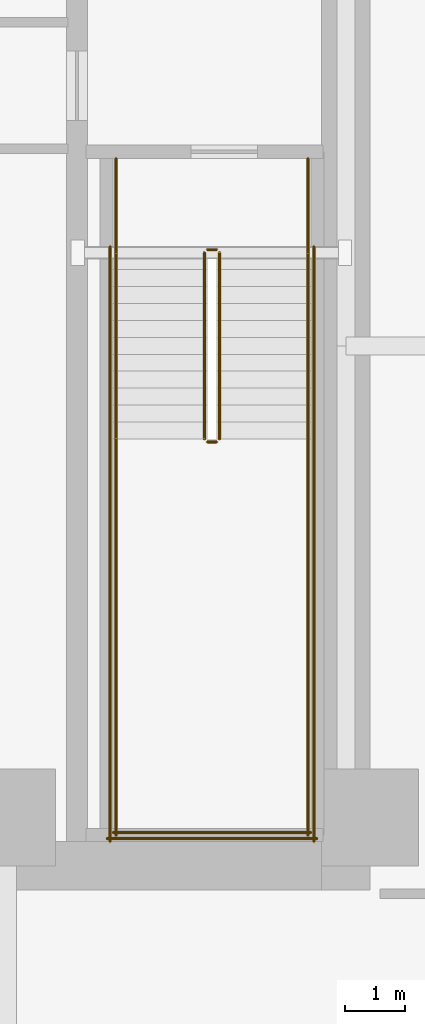
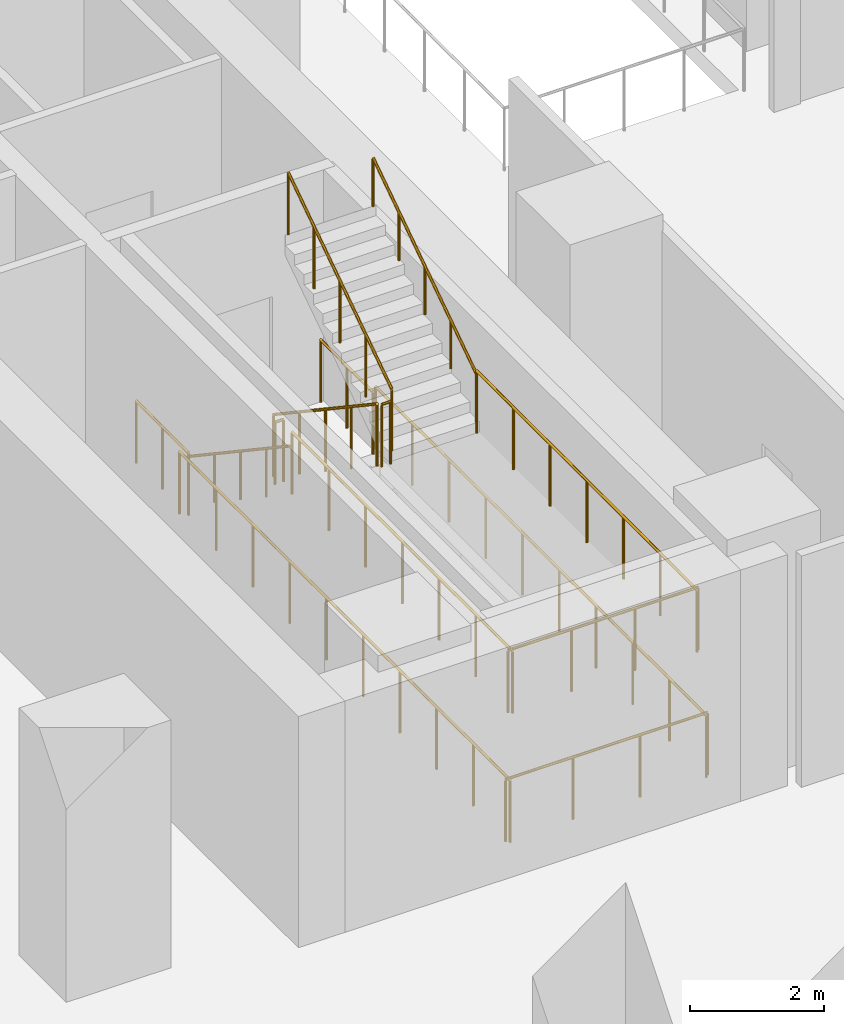
# One storey, part 11 of 14: 14 railings.
"""IFC4 building model written with IfcOpenShell, lengths in metres."""

from ifc_helpers import new_model, si_unit, direction, frame, origin, origin_2d, place, context, subcontext, project, spatial, circle, extrude, material, type_object, element, save


model = new_model("IFC4")

# Units and contexts
model_context = context("Model", 3, precision=1e-05, world=origin(), true_north=direction((0.0, 1.0)))
body_context = subcontext(model_context, "Body", "Model", "MODEL_VIEW")
ifc_project = project(units=[si_unit("LENGTHUNIT", "METRE"), si_unit("AREAUNIT", "SQUARE_METRE"), si_unit("VOLUMEUNIT", "CUBIC_METRE"), si_unit("PLANEANGLEUNIT", "RADIAN"), si_unit("MASSUNIT", "GRAM", prefix="KILO")], contexts=[model_context])

# Site, building, storey
site_placement = place(None, origin())
site = spatial("IfcSite", under=ifc_project, at=site_placement, CompositionType="ELEMENT")
building_placement = place(site_placement, origin())
building = spatial("IfcBuilding", under=site, at=building_placement, Name="Khairoan Windgate Tower", CompositionType="ELEMENT")
storey_placement = place(building_placement, frame((0.0, 0.0, -4.5)))
storey = spatial("IfcBuildingStorey", under=building, at=storey_placement, Name="B1", CompositionType="ELEMENT", Elevation=-4.5)

# Railings
ifc_material_1 = material(Name="Anodised Bronze Aluminium 6063-T6", Category="aluminium")
railing_type_1 = type_object("IfcRailingType", Name="Stair Wall Handrail SHR-900", PredefinedType="HANDRAIL", material=ifc_material_1)
railing_1_placement = place(storey_placement, frame((16.199951171875, -9.260009765625, 0.1875)))
element("IfcRailing", 1, at=railing_1_placement, inside=storey, type_object=railing_type_1, Name="B1 ST1 stair handrail 1", PredefinedType="HANDRAIL", context=body_context, shape_type="SweptSolid", body=[
    extrude(circle(Radius=0.02392578125, at=origin_2d()), frame((0.0, 0.0, 0.8759765625), z_axis=(0.0, -0.830913701846, 0.55640131208), x_axis=(1.0, 0.0, 0.0)), (0.0, 0.0, 1.0), 3.706787109375),
    extrude(circle(Radius=0.02099609375, at=origin_2d()), origin(), (0.0, 0.0, 1.0), 0.851806640625),
    extrude(circle(Radius=0.02099609375, at=origin_2d()), frame((0.0, -0.77001953125, 0.515625)), (0.0, 0.0, 1.0), 0.851806640625),
    extrude(circle(Radius=0.02099609375, at=origin_2d()), frame((0.0, -1.5400390625, 1.03125)), (0.0, 0.0, 1.0), 0.851806640625),
    extrude(circle(Radius=0.02099609375, at=origin_2d()), frame((0.0, -2.31005859375, 1.546875)), (0.0, 0.0, 1.0), 0.851806640625),
    extrude(circle(Radius=0.02099609375, at=origin_2d()), frame((0.0, -3.080078125, 2.0625)), (0.0, 0.0, 1.0), 0.851806640625),
])
railing_2_placement = place(storey_placement, frame((19.3701171875, -12.340087890625, 2.4375)))
element("IfcRailing", 2, at=railing_2_placement, inside=storey, type_object=railing_type_1, Name="B1 ST1 stair handrail 2", PredefinedType="HANDRAIL", context=body_context, shape_type="SweptSolid", body=[
    extrude(circle(Radius=0.02392578125, at=origin_2d()), frame((0.0, 0.0, 0.8759765625), z_axis=(0.0, 0.830913701846, 0.55640131208), x_axis=(-1.0, 0.0, 0.0)), (0.0, 0.0, 1.0), 3.706787109375),
    extrude(circle(Radius=0.02099609375, at=origin_2d()), origin(), (0.0, 0.0, 1.0), 0.851806640625),
    extrude(circle(Radius=0.02099609375, at=origin_2d()), frame((0.0, 0.77001953125, 0.515625)), (0.0, 0.0, 1.0), 0.851806640625),
    extrude(circle(Radius=0.02099609375, at=origin_2d()), frame((0.0, 1.5400390625, 1.03125)), (0.0, 0.0, 1.0), 0.851806640625),
    extrude(circle(Radius=0.02099609375, at=origin_2d()), frame((0.0, 2.31005859375, 1.546875)), (0.0, 0.0, 1.0), 0.851806640625),
    extrude(circle(Radius=0.02099609375, at=origin_2d()), frame((0.0, 3.080078125, 2.0625)), (0.0, 0.0, 1.0), 0.851806640625),
])
ifc_material_2 = material(Name="Steel S355", Category="steel")
railing_type_2 = type_object("IfcRailingType", Name="Stairwell Safety Guardrail SGR-1150", PredefinedType="GUARDRAIL", material=ifc_material_2)
railing_3_placement = place(storey_placement, frame((17.659912109375, -9.260009765625, 0.1875)))
element("IfcRailing", 3, at=railing_3_placement, inside=storey, type_object=railing_type_2, Name="B1 ST1 stair guard 1", PredefinedType="GUARDRAIL", context=body_context, shape_type="SweptSolid", body=[
    extrude(circle(Radius=0.02392578125, at=origin_2d()), frame((0.0, 0.0, 1.1259765625), z_axis=(0.0, -0.830913701846, 0.55640131208), x_axis=(1.0, 0.0, 0.0)), (0.0, 0.0, 1.0), 3.706787109375),
    extrude(circle(Radius=0.02099609375, at=origin_2d()), origin(), (0.0, 0.0, 1.0), 1.101806640625),
    extrude(circle(Radius=0.02099609375, at=origin_2d()), frame((0.0, -0.77001953125, 0.515625)), (0.0, 0.0, 1.0), 1.101806640625),
    extrude(circle(Radius=0.02099609375, at=origin_2d()), frame((0.0, -1.5400390625, 1.03125)), (0.0, 0.0, 1.0), 1.101806640625),
    extrude(circle(Radius=0.02099609375, at=origin_2d()), frame((0.0, -2.31005859375, 1.546875)), (0.0, 0.0, 1.0), 1.101806640625),
    extrude(circle(Radius=0.02099609375, at=origin_2d()), frame((0.0, -3.080078125, 2.0625)), (0.0, 0.0, 1.0), 1.101806640625),
])
railing_4_placement = place(storey_placement, frame((17.7099609375, -12.389892578125, 2.25)))
element("IfcRailing", 4, at=railing_4_placement, inside=storey, type_object=railing_type_2, Name="B1 ST1 stair guard 2", PredefinedType="GUARDRAIL", context=body_context, shape_type="SweptSolid", body=[
    extrude(circle(Radius=0.02392578125, at=origin_2d()), frame((0.0, 0.0, 1.1259765625), z_axis=(1.0, 0.0, 0.0), x_axis=(0.0, 1.0, 0.0)), (0.0, 0.0, 1.0), 0.150146484375),
    extrude(circle(Radius=0.02099609375, at=origin_2d()), origin(), (0.0, 0.0, 1.0), 1.101806640625),
    extrude(circle(Radius=0.02099609375, at=origin_2d()), frame((0.150146484375, 0.0, 0.0)), (0.0, 0.0, 1.0), 1.101806640625),
])
for number, where, name in (
    (5, (16.199951171875, -12.340087890625, 2.25), "B1 ST1 stair guard 3"),
    (6, (19.3701171875, -12.340087890625, 2.25), "B1 ST1 stair guard 4"),
):
    element("IfcRailing", number, at=place(storey_placement, frame(where)), inside=storey, type_object=railing_type_2, Name=name, PredefinedType="GUARDRAIL", context=body_context, shape_type="SweptSolid", body=[
        extrude(circle(Radius=0.02392578125, at=origin_2d()), frame((0.0, 0.0, 1.1259765625), z_axis=(0.0, -1.0, 0.0), x_axis=(1.0, 0.0, 0.0)), (0.0, 0.0, 1.0), 6.559814453125),
        extrude(circle(Radius=0.02099609375, at=origin_2d()), origin(), (0.0, 0.0, 1.0), 1.101806640625),
        extrude(circle(Radius=0.02099609375, at=origin_2d()), frame((0.0, -1.09326171875, 0.0)), (0.0, 0.0, 1.0), 1.101806640625),
        extrude(circle(Radius=0.02099609375, at=origin_2d()), frame((0.0, -2.1865234375, 0.0)), (0.0, 0.0, 1.0), 1.101806640625),
        extrude(circle(Radius=0.02099609375, at=origin_2d()), frame((0.0, -3.27978515625, 0.0)), (0.0, 0.0, 1.0), 1.101806640625),
        extrude(circle(Radius=0.02099609375, at=origin_2d()), frame((0.0, -4.373291015625, 0.0)), (0.0, 0.0, 1.0), 1.101806640625),
        extrude(circle(Radius=0.02099609375, at=origin_2d()), frame((0.0, -5.466552734375, 0.0)), (0.0, 0.0, 1.0), 1.101806640625),
        extrude(circle(Radius=0.02099609375, at=origin_2d()), frame((0.0, -6.559814453125, 0.0)), (0.0, 0.0, 1.0), 1.101806640625),
    ])
railing_5_placement = place(storey_placement, frame((16.14990234375, -18.85009765625, 2.25)))
element("IfcRailing", 7, at=railing_5_placement, inside=storey, type_object=railing_type_2, Name="B1 ST1 stair guard 5", PredefinedType="GUARDRAIL", context=body_context, shape_type="SweptSolid", body=[
    extrude(circle(Radius=0.02392578125, at=origin_2d()), frame((0.0, 0.0, 1.1259765625), z_axis=(1.0, 0.0, 0.0), x_axis=(0.0, 1.0, 0.0)), (0.0, 0.0, 1.0), 3.27001953125),
    extrude(circle(Radius=0.02099609375, at=origin_2d()), origin(), (0.0, 0.0, 1.0), 1.101806640625),
    extrude(circle(Radius=0.02099609375, at=origin_2d()), frame((1.090087890625, 0.0, 0.0)), (0.0, 0.0, 1.0), 1.101806640625),
    extrude(circle(Radius=0.02099609375, at=origin_2d()), frame((2.179931640625, 0.0, 0.0)), (0.0, 0.0, 1.0), 1.101806640625),
    extrude(circle(Radius=0.02099609375, at=origin_2d()), frame((3.27001953125, 0.0, 0.0)), (0.0, 0.0, 1.0), 1.101806640625),
])
railing_6_placement = place(storey_placement, frame((17.909912109375, -12.340087890625, 2.4375)))
element("IfcRailing", 8, at=railing_6_placement, inside=storey, type_object=railing_type_2, Name="B1 ST1 stair guard 6", PredefinedType="GUARDRAIL", context=body_context, shape_type="SweptSolid", body=[
    extrude(circle(Radius=0.02392578125, at=origin_2d()), frame((0.0, 0.0, 1.1259765625), z_axis=(0.0, 0.830913701846, 0.55640131208), x_axis=(-1.0, 0.0, 0.0)), (0.0, 0.0, 1.0), 3.706787109375),
    extrude(circle(Radius=0.02099609375, at=origin_2d()), origin(), (0.0, 0.0, 1.0), 1.101806640625),
    extrude(circle(Radius=0.02099609375, at=origin_2d()), frame((0.0, 0.77001953125, 0.515625)), (0.0, 0.0, 1.0), 1.101806640625),
    extrude(circle(Radius=0.02099609375, at=origin_2d()), frame((0.0, 1.5400390625, 1.03125)), (0.0, 0.0, 1.0), 1.101806640625),
    extrude(circle(Radius=0.02099609375, at=origin_2d()), frame((0.0, 2.31005859375, 1.546875)), (0.0, 0.0, 1.0), 1.101806640625),
    extrude(circle(Radius=0.02099609375, at=origin_2d()), frame((0.0, 3.080078125, 2.0625)), (0.0, 0.0, 1.0), 1.101806640625),
])
railing_7_placement = place(storey_placement, frame((17.7099609375, -9.2099609375, 0.0)))
element("IfcRailing", 9, at=railing_7_placement, inside=storey, type_object=railing_type_2, Name="B1 ST1 stair guard 7", PredefinedType="GUARDRAIL", context=body_context, shape_type="SweptSolid", body=[
    extrude(circle(Radius=0.02392578125, at=origin_2d()), frame((0.0, 0.0, 1.1259765625), z_axis=(1.0, 0.0, 0.0), x_axis=(0.0, 1.0, 0.0)), (0.0, 0.0, 1.0), 0.150146484375),
    extrude(circle(Radius=0.02099609375, at=origin_2d()), origin(), (0.0, 0.0, 1.0), 1.101806640625),
    extrude(circle(Radius=0.02099609375, at=origin_2d()), frame((0.150146484375, 0.0, 0.0)), (0.0, 0.0, 1.0), 1.101806640625),
])
for number, where, name in (
    (10, (16.199951171875, -7.699951171875, 0.0), "B1 ST1 stair guard 8"),
    (11, (19.3701171875, -7.699951171875, 0.0), "B1 ST1 stair guard 9"),
):
    element("IfcRailing", number, at=place(storey_placement, frame(where)), inside=storey, type_object=railing_type_2, Name=name, PredefinedType="GUARDRAIL", context=body_context, shape_type="SweptSolid", body=[
        extrude(circle(Radius=0.02392578125, at=origin_2d()), frame((0.0, 0.0, 1.1259765625), z_axis=(0.0, -1.0, 0.0), x_axis=(1.0, 0.0, 0.0)), (0.0, 0.0, 1.0), 1.56005859375),
        extrude(circle(Radius=0.02099609375, at=origin_2d()), origin(), (0.0, 0.0, 1.0), 1.101806640625),
        extrude(circle(Radius=0.02099609375, at=origin_2d()), frame((0.0, -0.780029296875, 0.0)), (0.0, 0.0, 1.0), 1.101806640625),
        extrude(circle(Radius=0.02099609375, at=origin_2d()), frame((0.0, -1.56005859375, 0.0)), (0.0, 0.0, 1.0), 1.101806640625),
    ])
for number, where, name in (
    (12, (16.10009765625, -9.159912109375, 0.0), "B1 ST1 stair guard 10"),
    (13, (19.469970703125, -9.159912109375, 0.0), "B1 ST1 stair guard 11"),
):
    element("IfcRailing", number, at=place(storey_placement, frame(where)), inside=storey, type_object=railing_type_2, Name=name, PredefinedType="GUARDRAIL", context=body_context, shape_type="SweptSolid", body=[
        extrude(circle(Radius=0.02392578125, at=origin_2d()), frame((0.0, 0.0, 1.1259765625), z_axis=(0.0, -1.0, 0.0), x_axis=(1.0, 0.0, 0.0)), (0.0, 0.0, 1.0), 9.840087890625),
        extrude(circle(Radius=0.02099609375, at=origin_2d()), origin(), (0.0, 0.0, 1.0), 1.101806640625),
        extrude(circle(Radius=0.02099609375, at=origin_2d()), frame((0.0, -1.09326171875, 0.0)), (0.0, 0.0, 1.0), 1.101806640625),
        extrude(circle(Radius=0.02099609375, at=origin_2d()), frame((0.0, -2.186767578125, 0.0)), (0.0, 0.0, 1.0), 1.101806640625),
        extrude(circle(Radius=0.02099609375, at=origin_2d()), frame((0.0, -3.280029296875, 0.0)), (0.0, 0.0, 1.0), 1.101806640625),
        extrude(circle(Radius=0.02099609375, at=origin_2d()), frame((0.0, -4.373291015625, 0.0)), (0.0, 0.0, 1.0), 1.101806640625),
        extrude(circle(Radius=0.02099609375, at=origin_2d()), frame((0.0, -5.466796875, 0.0)), (0.0, 0.0, 1.0), 1.101806640625),
        extrude(circle(Radius=0.02099609375, at=origin_2d()), frame((0.0, -6.56005859375, 0.0)), (0.0, 0.0, 1.0), 1.101806640625),
        extrude(circle(Radius=0.02099609375, at=origin_2d()), frame((0.0, -7.6533203125, 0.0)), (0.0, 0.0, 1.0), 1.101806640625),
        extrude(circle(Radius=0.02099609375, at=origin_2d()), frame((0.0, -8.746826171875, 0.0)), (0.0, 0.0, 1.0), 1.101806640625),
        extrude(circle(Radius=0.02099609375, at=origin_2d()), frame((0.0, -9.840087890625, 0.0)), (0.0, 0.0, 1.0), 1.101806640625),
    ])
railing_8_placement = place(storey_placement, frame((16.050048828125, -18.949951171875, 0.0)))
element("IfcRailing", 14, at=railing_8_placement, inside=storey, type_object=railing_type_2, Name="B1 ST1 stair guard 12", PredefinedType="GUARDRAIL", context=body_context, shape_type="SweptSolid", body=[
    extrude(circle(Radius=0.02392578125, at=origin_2d()), frame((0.0, 0.0, 1.1259765625), z_axis=(1.0, 0.0, 0.0), x_axis=(0.0, 1.0, 0.0)), (0.0, 0.0, 1.0), 3.469970703125),
    extrude(circle(Radius=0.02099609375, at=origin_2d()), origin(), (0.0, 0.0, 1.0), 1.101806640625),
    extrude(circle(Radius=0.02099609375, at=origin_2d()), frame((1.15673828125, 0.0, 0.0)), (0.0, 0.0, 1.0), 1.101806640625),
    extrude(circle(Radius=0.02099609375, at=origin_2d()), frame((2.313232421875, 0.0, 0.0)), (0.0, 0.0, 1.0), 1.101806640625),
    extrude(circle(Radius=0.02099609375, at=origin_2d()), frame((3.469970703125, 0.0, 0.0)), (0.0, 0.0, 1.0), 1.101806640625),
])

save(model, "model.ifc")
